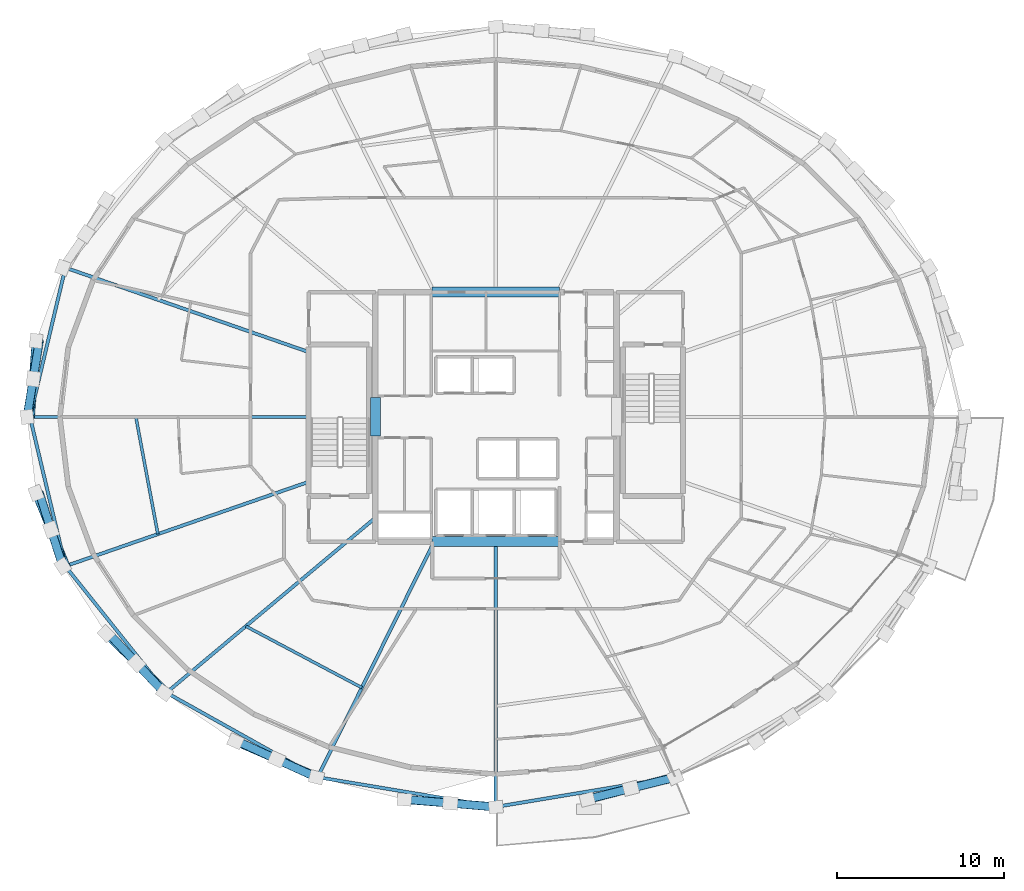
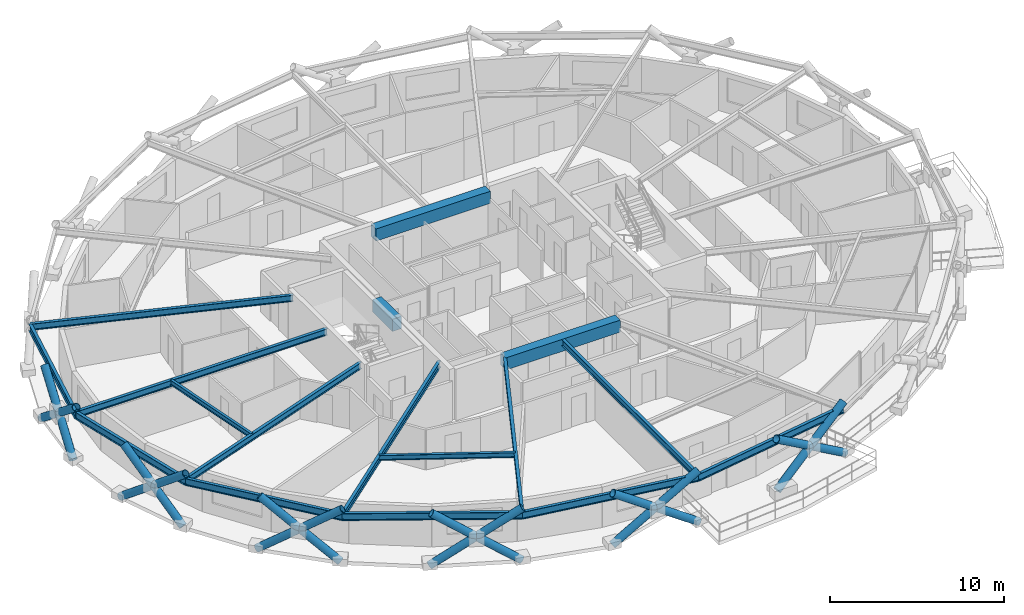
# One storey, part 1 of 16: 18 members, 17 beams.
"""IFC4 building model written with IfcOpenShell, lengths in metres."""

from ifc_helpers import new_model, si_unit, direction, frame, origin, origin_2d, place, context, subcontext, project, spatial, rectangle, hollow_circle, i_section, extrude, material, material_profile, profile_set, type_object, element, save


model = new_model("IFC4")

# Units and contexts
model_context = context("Model", 3, precision=1e-05, world=origin(), true_north=direction((0.0, 1.0)))
body_context = subcontext(model_context, "Body", "Model", "MODEL_VIEW")
ifc_project = project(units=[si_unit("LENGTHUNIT", "METRE"), si_unit("AREAUNIT", "SQUARE_METRE"), si_unit("VOLUMEUNIT", "CUBIC_METRE"), si_unit("PLANEANGLEUNIT", "RADIAN"), si_unit("MASSUNIT", "GRAM", prefix="KILO")], contexts=[model_context])

# Site, building, storey
site_placement = place(None, origin())
site = spatial("IfcSite", under=ifc_project, at=site_placement, CompositionType="ELEMENT")
building_placement = place(site_placement, origin())
building = spatial("IfcBuilding", under=site, at=building_placement, Name="Veldorina Hangang Commons", CompositionType="ELEMENT")
storey_placement = place(building_placement, frame((0.0, 0.0, 174.800048828125)))
storey = spatial("IfcBuildingStorey", under=building, at=storey_placement, Name="L45", CompositionType="ELEMENT", Elevation=174.800048828125)

# Beams
ifc_material_1 = material(Name="Concrete C60/75", Category="concrete")
ifc_material_profile_1 = material_profile(ifc_material_1, rectangle(XDim=0.60009765625, YDim=0.85009765625, at=origin_2d()), Name="RC-CB-600x850")
ifc_profile_set_1 = profile_set([ifc_material_profile_1], Name="Concrete C60/75")
beam_type_1 = type_object("IfcBeamType", Name="BM-CB850", PredefinedType="LINTEL", material=ifc_profile_set_1)
beam_1_placement = place(storey_placement, frame((24.800048828125, 22.85009765625, 2.925048828125), z_axis=(0.0, 1.0, 0.0), x_axis=(-1.0, 0.0, 0.0)))
element("IfcBeam", 1, at=beam_1_placement, inside=storey, type_object=beam_type_1, Name="L45 W core coupling lintel beam", PredefinedType="LINTEL", context=body_context, shape_type="SweptSolid", body=[
    extrude(rectangle(XDim=0.60009765625, YDim=0.85009765625, at=origin_2d()), origin(), (0.0, 0.0, 1.0), 2.2998046875),
])
for number, where, z_axis, x_axis, name in (
    (2, (28.199951171875, 16.550048828125, 2.925048828125), (1.0, 0.0, 0.0), (0.0, 1.0, 0.0), "L45 south core coupling beam"),
    (3, (28.199951171875, 31.449951171875, 2.925048828125), (1.0, 0.0, 0.0), (0.0, 1.0, 0.0), "L45 north core coupling beam"),
):
    element("IfcBeam", number, at=place(storey_placement, frame(where, z_axis=z_axis, x_axis=x_axis)), inside=storey, type_object=beam_type_1, Name=name, PredefinedType="LINTEL", context=body_context, shape_type="SweptSolid", body=[
        extrude(rectangle(XDim=0.60009765625, YDim=0.85009765625, at=origin_2d()), origin(), (0.0, 0.0, 1.0), 7.60009765625),
    ])
ifc_material_2 = material(Name="Steel SM355-TMC", Category="steel")
ifc_material_profile_2 = material_profile(ifc_material_2, i_section(OverallWidth=0.199951171875, OverallDepth=0.449951171875, WebThickness=0.009033203125, FlangeThickness=0.013916015625, FilletRadius=0.01611328125, at=origin_2d()), Name="H-450x200x9x14")
ifc_profile_set_2 = profile_set([ifc_material_profile_2], Name="Steel SM355-TMC")
beam_type_2 = type_object("IfcBeamType", Name="BM-FG450", PredefinedType="BEAM", material=ifc_profile_set_2)
beam_2_placement = place(storey_placement, frame((20.820068359375, 27.875732421875, 3.125), z_axis=(-0.944833643495, 0.327550585588, 0.0), x_axis=(-0.327550585588, -0.944833643495, 0.0)))
element("IfcBeam", 4, at=beam_2_placement, inside=storey, type_object=beam_type_2, Name="L45 radial floor girder 08", PredefinedType="BEAM", context=body_context, shape_type="SweptSolid", body=[
    extrude(i_section(OverallWidth=0.199951171875, OverallDepth=0.449951171875, WebThickness=0.009033203125, FlangeThickness=0.013916015625, FilletRadius=0.01611328125, at=origin_2d()), origin(), (0.0, 0.0, 1.0), 15.37744140625),
])
beam_3_placement = place(storey_placement, frame((20.820068359375, 24.0, 3.125), z_axis=(-1.0, 0.0, 0.0), x_axis=(0.0, -1.0, 0.0)))
element("IfcBeam", 5, at=beam_3_placement, inside=storey, type_object=beam_type_2, Name="L45 radial floor girder 09", PredefinedType="BEAM", context=body_context, shape_type="SweptSolid", body=[
    extrude(i_section(OverallWidth=0.199951171875, OverallDepth=0.449951171875, WebThickness=0.009033203125, FlangeThickness=0.013916015625, FilletRadius=0.01611328125, at=origin_2d()), origin(), (0.0, 0.0, 1.0), 16.6474609375),
])
beam_4_placement = place(storey_placement, frame((20.820068359375, 20.124267578125, 3.125), z_axis=(-0.944833643495, -0.327550585588, 0.0), x_axis=(0.327550585588, -0.944833643495, 0.0)))
element("IfcBeam", 6, at=beam_4_placement, inside=storey, type_object=beam_type_2, Name="L45 radial floor girder 10", PredefinedType="BEAM", context=body_context, shape_type="SweptSolid", body=[
    extrude(i_section(OverallWidth=0.199951171875, OverallDepth=0.449951171875, WebThickness=0.009033203125, FlangeThickness=0.013916015625, FilletRadius=0.01611328125, at=origin_2d()), origin(), (0.0, 0.0, 1.0), 15.37744140625),
])
beam_5_placement = place(storey_placement, frame((24.800048828125, 17.97412109375, 3.125), z_axis=(-0.766864155204, -0.641809447939, 0.0), x_axis=(0.641809447939, -0.766864155204, 0.0)))
element("IfcBeam", 7, at=beam_5_placement, inside=storey, type_object=beam_type_2, Name="L45 radial floor girder 11", PredefinedType="BEAM", context=body_context, shape_type="SweptSolid", body=[
    extrude(i_section(OverallWidth=0.199951171875, OverallDepth=0.449951171875, WebThickness=0.009033203125, FlangeThickness=0.013916015625, FilletRadius=0.01611328125, at=origin_2d()), origin(), (0.0, 0.0, 1.0), 16.270263671875),
])
beam_6_placement = place(storey_placement, frame((28.312744140625, 16.550048828125, 3.125), z_axis=(-0.44356380888, -0.896242794923, 0.0), x_axis=(0.896242794923, -0.44356380888, 0.0)))
element("IfcBeam", 8, at=beam_6_placement, inside=storey, type_object=beam_type_2, Name="L45 radial floor girder 12", PredefinedType="BEAM", context=body_context, shape_type="SweptSolid", body=[
    extrude(i_section(OverallWidth=0.199951171875, OverallDepth=0.449951171875, WebThickness=0.009033203125, FlangeThickness=0.013916015625, FilletRadius=0.01611328125, at=origin_2d()), origin(), (0.0, 0.0, 1.0), 15.6953125),
])
beam_7_placement = place(storey_placement, frame((32.0, 16.550048828125, 3.125), z_axis=(0.0, -1.0, 0.0), x_axis=(1.0, 0.0, 0.0)))
element("IfcBeam", 9, at=beam_7_placement, inside=storey, type_object=beam_type_2, Name="L45 radial floor girder 13", PredefinedType="BEAM", context=body_context, shape_type="SweptSolid", body=[
    extrude(i_section(OverallWidth=0.199951171875, OverallDepth=0.449951171875, WebThickness=0.009033203125, FlangeThickness=0.013916015625, FilletRadius=0.01611328125, at=origin_2d()), origin(), (0.0, 0.0, 1.0), 15.839599609375),
])
ifc_material_profile_3 = material_profile(ifc_material_2, i_section(OverallWidth=0.175048828125, OverallDepth=0.35009765625, WebThickness=0.007080078125, FlangeThickness=0.010986328125, FilletRadius=0.012939453125, at=origin_2d()), Name="H-350x175x7x11")
ifc_profile_set_3 = profile_set([ifc_material_profile_3], Name="Steel SM355-TMC")
beam_type_3 = type_object("IfcBeamType", Name="BM-JST350", PredefinedType="JOIST", material=ifc_profile_set_3)
beam_8_placement = place(storey_placement, frame((10.498779296875, 24.0, 3.175048828125), z_axis=(0.184425160313, -0.982846559868, 0.0), x_axis=(0.982846559868, 0.184425160313, 0.0)))
element("IfcBeam", 10, at=beam_8_placement, inside=storey, type_object=beam_type_3, Name="L45 secondary floor joist 09", PredefinedType="JOIST", context=body_context, shape_type="SweptSolid", body=[
    extrude(i_section(OverallWidth=0.175048828125, OverallDepth=0.35009765625, WebThickness=0.007080078125, FlangeThickness=0.010986328125, FilletRadius=0.012939453125, at=origin_2d()), origin(), (0.0, 0.0, 1.0), 7.12060546875),
])
beam_9_placement = place(storey_placement, frame((17.064208984375, 11.5, 3.175048828125), z_axis=(0.883712199692, -0.46803071279, 0.0), x_axis=(0.46803071279, 0.883712199692, 0.0)))
element("IfcBeam", 11, at=beam_9_placement, inside=storey, type_object=beam_type_3, Name="L45 secondary floor joist 11", PredefinedType="JOIST", context=body_context, shape_type="SweptSolid", body=[
    extrude(i_section(OverallWidth=0.175048828125, OverallDepth=0.35009765625, WebThickness=0.007080078125, FlangeThickness=0.010986328125, FilletRadius=0.012939453125, at=origin_2d()), origin(), (0.0, 0.0, 1.0), 7.84423828125),
])
ifc_material_3 = material(Name="Steel SM420-TMC", Category="steel")
ifc_material_profile_4 = material_profile(ifc_material_3, i_section(OverallWidth=0.199951171875, OverallDepth=0.5, WebThickness=0.010009765625, FlangeThickness=0.01611328125, FilletRadius=0.01611328125, at=origin_2d()), Name="H-500x200x10x16")
ifc_profile_set_4 = profile_set([ifc_material_profile_4], Name="Steel SM420-TMC")
beam_type_4 = type_object("IfcBeamType", Name="BM-RB500", PredefinedType="BEAM", material=ifc_profile_set_4)
for number, where, z_axis, x_axis, name in (
    (12, (6.291015625, 32.91259765625, 3.099853515625), (-0.231244603609, -0.972895643582, 0.0), (0.972895643582, -0.231244603609, 0.0), "L45 perimeter hoop ring beam 14"),
    (13, (4.172607421875, 24.0, 3.099853515625), (0.231244603609, -0.972895643582, 0.0), (0.972895643582, 0.231244603609, 0.0), "L45 perimeter hoop ring beam 16"),
):
    element("IfcBeam", number, at=place(storey_placement, frame(where, z_axis=z_axis, x_axis=x_axis)), inside=storey, type_object=beam_type_4, Name=name, PredefinedType="BEAM", context=body_context, shape_type="SweptSolid", body=[
        extrude(i_section(OverallWidth=0.199951171875, OverallDepth=0.5, WebThickness=0.010009765625, FlangeThickness=0.01611328125, FilletRadius=0.01611328125, at=origin_2d()), origin(), (0.0, 0.0, 1.0), 9.160888671875),
    ])
beam_10_placement = place(storey_placement, frame((6.291015625, 15.08740234375, 3.099853515625), z_axis=(0.623903289365, -0.781501558233, 0.0), x_axis=(0.781501558233, 0.623903289365, 0.0)))
element("IfcBeam", 14, at=beam_10_placement, inside=storey, type_object=beam_type_4, Name="L45 perimeter hoop ring beam 18", PredefinedType="BEAM", context=body_context, shape_type="SweptSolid", body=[
    extrude(i_section(OverallWidth=0.199951171875, OverallDepth=0.5, WebThickness=0.010009765625, FlangeThickness=0.01611328125, FilletRadius=0.01611328125, at=origin_2d()), origin(), (0.0, 0.0, 1.0), 9.668212890625),
])
beam_11_placement = place(storey_placement, frame((12.322998046875, 7.53173828125, 3.099853515625), z_axis=(0.872794447993, -0.488087954731, 0.0), x_axis=(0.488087954731, 0.872794447993, 0.0)))
element("IfcBeam", 15, at=beam_11_placement, inside=storey, type_object=beam_type_4, Name="L45 perimeter hoop ring beam 20", PredefinedType="BEAM", context=body_context, shape_type="SweptSolid", body=[
    extrude(i_section(OverallWidth=0.199951171875, OverallDepth=0.5, WebThickness=0.010009765625, FlangeThickness=0.01611328125, FilletRadius=0.01611328125, at=origin_2d()), origin(), (0.0, 0.0, 1.0), 10.343505859375),
])
for number, where, z_axis, x_axis, name in (
    (16, (21.350830078125, 2.483154296875, 3.099853515625), (0.986426298572, -0.164204620783, 0.0), (0.164204620783, 0.986426298572, 0.0), "L45 perimeter hoop ring beam 22"),
    (17, (32.0, 0.71044921875, 3.099853515625), (0.986426298572, 0.164204620783, 0.0), (-0.164204620783, 0.986426298572, 0.0), "L45 perimeter hoop ring beam 24"),
):
    element("IfcBeam", number, at=place(storey_placement, frame(where, z_axis=z_axis, x_axis=x_axis)), inside=storey, type_object=beam_type_4, Name=name, PredefinedType="BEAM", context=body_context, shape_type="SweptSolid", body=[
        extrude(i_section(OverallWidth=0.199951171875, OverallDepth=0.5, WebThickness=0.010009765625, FlangeThickness=0.01611328125, FilletRadius=0.01611328125, at=origin_2d()), origin(), (0.0, 0.0, 1.0), 10.795654296875),
    ])

# Members
ifc_material_profile_5 = material_profile(ifc_material_3, hollow_circle(Radius=0.25, WallThickness=0.02490234375, at=origin_2d()), Name="CHS-500x25")
ifc_profile_set_5 = profile_set([ifc_material_profile_5], Name="Steel SM420-TMC")
member_type = type_object("IfcMemberType", Name="DG-CHS500", PredefinedType="BRACE", material=ifc_profile_set_5)
member_1_placement = place(storey_placement, frame((4.5380859375, 28.545654296875, 0.0), z_axis=(-0.058132089128, -0.782618486971, 0.619781384091), x_axis=(0.997252681133, -0.074074894356, 0.0)))
element("IfcMember", 18, at=member_1_placement, inside=storey, type_object=member_type, Name="L45 continuous perimeter diagrid brace 15", PredefinedType="BRACE", context=body_context, shape_type="SweptSolid", body=[
    extrude(hollow_circle(Radius=0.25, WallThickness=0.02490234375, at=origin_2d()), origin(), (0.0, 0.0, 1.0), 5.808349609375),
])
member_2_placement = place(storey_placement, frame((4.0, 24.0, 0.0), z_axis=(0.126308685295, 0.777483421986, 0.616088990776), x_axis=(-0.98705924019, 0.160356029995, 0.0)))
element("IfcMember", 19, at=member_2_placement, inside=storey, type_object=member_type, Name="L45 split perimeter diagrid lower brace 16", PredefinedType="BRACE", context=body_context, shape_type="SweptSolid", body=[
    extrude(hollow_circle(Radius=0.25, WallThickness=0.02490234375, at=origin_2d()), origin(), (0.0, 0.0, 1.0), 2.922607421875),
])
member_3_placement = place(storey_placement, frame((4.369140625, 26.272216796875, 1.800537109375), z_axis=(0.125148190599, 0.777640927825, 0.616127030539), x_axis=(-0.987296498118, 0.158888718306, 0.0)))
element("IfcMember", 20, at=member_3_placement, inside=storey, type_object=member_type, Name="L45 split perimeter diagrid upper brace 16", PredefinedType="BRACE", context=body_context, shape_type="SweptSolid", body=[
    extrude(hollow_circle(Radius=0.25, WallThickness=0.02490234375, at=origin_2d()), origin(), (0.0, 0.0, 1.0), 2.92041015625),
])
member_4_placement = place(storey_placement, frame((4.5380859375, 19.454345703125, 0.0), z_axis=(0.299836461681, -0.736070731736, 0.606875583731), x_axis=(0.926111792913, 0.377249184264, 0.0)))
element("IfcMember", 21, at=member_4_placement, inside=storey, type_object=member_type, Name="L45 continuous perimeter diagrid brace 17", PredefinedType="BRACE", context=body_context, shape_type="SweptSolid", body=[
    extrude(hollow_circle(Radius=0.25, WallThickness=0.02490234375, at=origin_2d()), origin(), (0.0, 0.0, 1.0), 5.931884765625),
])
member_5_placement = place(storey_placement, frame((6.13134765625, 15.08349609375, 0.0), z_axis=(-0.240982781529, 0.749045750987, 0.617136744923), x_axis=(-0.951947786648, -0.306260365531, 0.0)))
element("IfcMember", 22, at=member_5_placement, inside=storey, type_object=member_type, Name="L45 split perimeter diagrid lower brace 18", PredefinedType="BRACE", context=body_context, shape_type="SweptSolid", body=[
    extrude(hollow_circle(Radius=0.25, WallThickness=0.02490234375, at=origin_2d()), origin(), (0.0, 0.0, 1.0), 2.918701171875),
])
member_6_placement = place(storey_placement, frame((5.427978515625, 17.269775390625, 1.80126953125), z_axis=(-0.237838886138, 0.750197444376, 0.616957420486), x_axis=(-0.953241105794, -0.302210843989, 0.0)))
element("IfcMember", 23, at=member_6_placement, inside=storey, type_object=member_type, Name="L45 split perimeter diagrid upper brace 18", PredefinedType="BRACE", context=body_context, shape_type="SweptSolid", body=[
    extrude(hollow_circle(Radius=0.25, WallThickness=0.02490234375, at=origin_2d()), origin(), (0.0, 0.0, 1.0), 2.915283203125),
])
member_7_placement = place(storey_placement, frame((8.718994140625, 11.05517578125, 0.0), z_axis=(0.584049696546, -0.567680723039, 0.580193544133), x_axis=(0.696986632589, 0.717084119188, 0.0)))
element("IfcMember", 24, at=member_7_placement, inside=storey, type_object=member_type, Name="L45 continuous perimeter diagrid brace 19", PredefinedType="BRACE", context=body_context, shape_type="SweptSolid", body=[
    extrude(hollow_circle(Radius=0.25, WallThickness=0.02490234375, at=origin_2d()), origin(), (0.0, 0.0, 1.0), 6.20458984375),
])
member_8_placement = place(storey_placement, frame((12.200927734375, 7.5244140625, 0.0), z_axis=(-0.550993044386, 0.583921880201, 0.596189485701), x_axis=(-0.727316959956, -0.686301711903, 0.0)))
element("IfcMember", 25, at=member_8_placement, inside=storey, type_object=member_type, Name="L45 split perimeter diagrid lower brace 20", PredefinedType="BRACE", context=body_context, shape_type="SweptSolid", body=[
    extrude(hollow_circle(Radius=0.25, WallThickness=0.02490234375, at=origin_2d()), origin(), (0.0, 0.0, 1.0), 3.02490234375),
])
member_9_placement = place(storey_placement, frame((10.5341796875, 9.290771484375, 1.803466796875), z_axis=(-0.547060468457, 0.587727483882, 0.596071512943), x_axis=(-0.731977253721, -0.681329068832, 0.0)))
element("IfcMember", 26, at=member_9_placement, inside=storey, type_object=member_type, Name="L45 split perimeter diagrid upper brace 20", PredefinedType="BRACE", context=body_context, shape_type="SweptSolid", body=[
    extrude(hollow_circle(Radius=0.25, WallThickness=0.02490234375, at=origin_2d()), origin(), (0.0, 0.0, 1.0), 3.013671875),
])
member_10_placement = place(storey_placement, frame((16.444091796875, 4.626708984375, 0.0), z_axis=(0.761252152264, -0.331569115868, 0.557276486204), x_axis=(0.399323541247, 0.916810072701, 0.0)))
element("IfcMember", 27, at=member_10_placement, inside=storey, type_object=member_type, Name="L45 continuous perimeter diagrid brace 21", PredefinedType="BRACE", context=body_context, shape_type="SweptSolid", body=[
    extrude(hollow_circle(Radius=0.25, WallThickness=0.02490234375, at=origin_2d()), origin(), (0.0, 0.0, 1.0), 6.459716796875),
])
member_11_placement = place(storey_placement, frame((21.284912109375, 2.4736328125, 0.0), z_axis=(-0.748577727601, 0.340115667105, 0.569168444952), x_axis=(-0.41365483263, -0.910433786413, 0.0)))
element("IfcMember", 28, at=member_11_placement, inside=storey, type_object=member_type, Name="L45 split perimeter diagrid lower brace 22", PredefinedType="BRACE", context=body_context, shape_type="SweptSolid", body=[
    extrude(hollow_circle(Radius=0.25, WallThickness=0.02490234375, at=origin_2d()), origin(), (0.0, 0.0, 1.0), 3.172119140625),
])
member_12_placement = place(storey_placement, frame((18.910400390625, 3.552490234375, 1.805419921875), z_axis=(-0.746898980393, 0.343870865844, 0.569117510459), x_axis=(-0.418204041061, -0.90835311418, 0.0)))
element("IfcMember", 29, at=member_12_placement, inside=storey, type_object=member_type, Name="L45 split perimeter diagrid upper brace 22", PredefinedType="BRACE", context=body_context, shape_type="SweptSolid", body=[
    extrude(hollow_circle(Radius=0.25, WallThickness=0.02490234375, at=origin_2d()), origin(), (0.0, 0.0, 1.0), 3.153076171875),
])
member_13_placement = place(storey_placement, frame((26.53759765625, 1.147705078125, 0.0), z_axis=(0.83313947958, -0.066430715633, 0.549058801574), x_axis=(0.079483141114, 0.996836210357, 0.0)))
element("IfcMember", 30, at=member_13_placement, inside=storey, type_object=member_type, Name="L45 continuous perimeter diagrid brace 23", PredefinedType="BRACE", context=body_context, shape_type="SweptSolid", body=[
    extrude(hollow_circle(Radius=0.25, WallThickness=0.02490234375, at=origin_2d()), origin(), (0.0, 0.0, 1.0), 6.556396484375),
])
member_14_placement = place(storey_placement, frame((32.0, 0.699951171875, 0.0), z_axis=(-0.831119565723, 0.070011776461, 0.551668939337), x_axis=(-0.083940615634, -0.996470758752, 0.0)))
element("IfcMember", 31, at=member_14_placement, inside=storey, type_object=member_type, Name="L45 split perimeter diagrid lower brace 24", PredefinedType="BRACE", context=body_context, shape_type="SweptSolid", body=[
    extrude(hollow_circle(Radius=0.25, WallThickness=0.02490234375, at=origin_2d()), origin(), (0.0, 0.0, 1.0), 3.2744140625),
])
member_15_placement = place(storey_placement, frame((29.278564453125, 0.92919921875, 1.806396484375), z_axis=(-0.831064462718, 0.070888664752, 0.551639969561), x_axis=(-0.084990008364, -0.996381803566, 0.0)))
element("IfcMember", 32, at=member_15_placement, inside=storey, type_object=member_type, Name="L45 split perimeter diagrid upper brace 24", PredefinedType="BRACE", context=body_context, shape_type="SweptSolid", body=[
    extrude(hollow_circle(Radius=0.25, WallThickness=0.02490234375, at=origin_2d()), origin(), (0.0, 0.0, 1.0), 3.251220703125),
])
member_16_placement = place(storey_placement, frame((37.46240234375, 1.147705078125, 0.0), z_axis=(0.803105658306, 0.207471802771, 0.558548791648), x_axis=(-0.250125243423, 0.968213490199, 0.0)))
element("IfcMember", 33, at=member_16_placement, inside=storey, type_object=member_type, Name="L45 continuous perimeter diagrid brace 25", PredefinedType="BRACE", context=body_context, shape_type="SweptSolid", body=[
    extrude(hollow_circle(Radius=0.25, WallThickness=0.02490234375, at=origin_2d()), origin(), (0.0, 0.0, 1.0), 6.445068359375),
])
member_17_placement = place(storey_placement, frame((42.715087890625, 2.4736328125, 0.0), z_axis=(-0.810239393097, -0.19982280464, 0.550983640972), x_axis=(0.239447529046, -0.970909306184, 0.0)))
element("IfcMember", 34, at=member_17_placement, inside=storey, type_object=member_type, Name="L45 split perimeter diagrid lower brace 26", PredefinedType="BRACE", context=body_context, shape_type="SweptSolid", body=[
    extrude(hollow_circle(Radius=0.25, WallThickness=0.02490234375, at=origin_2d()), origin(), (0.0, 0.0, 1.0), 3.278076171875),
])
member_18_placement = place(storey_placement, frame((40.05908203125, 1.818603515625, 1.80615234375), z_axis=(-0.809611546168, -0.202402886542, 0.550964804529), x_axis=(0.242535625036, -0.970142500145, 0.0)))
element("IfcMember", 35, at=member_18_placement, inside=storey, type_object=member_type, Name="L45 split perimeter diagrid upper brace 26", PredefinedType="BRACE", context=body_context, shape_type="SweptSolid", body=[
    extrude(hollow_circle(Radius=0.25, WallThickness=0.02490234375, at=origin_2d()), origin(), (0.0, 0.0, 1.0), 3.255615234375),
])

save(model, "model.ifc")
